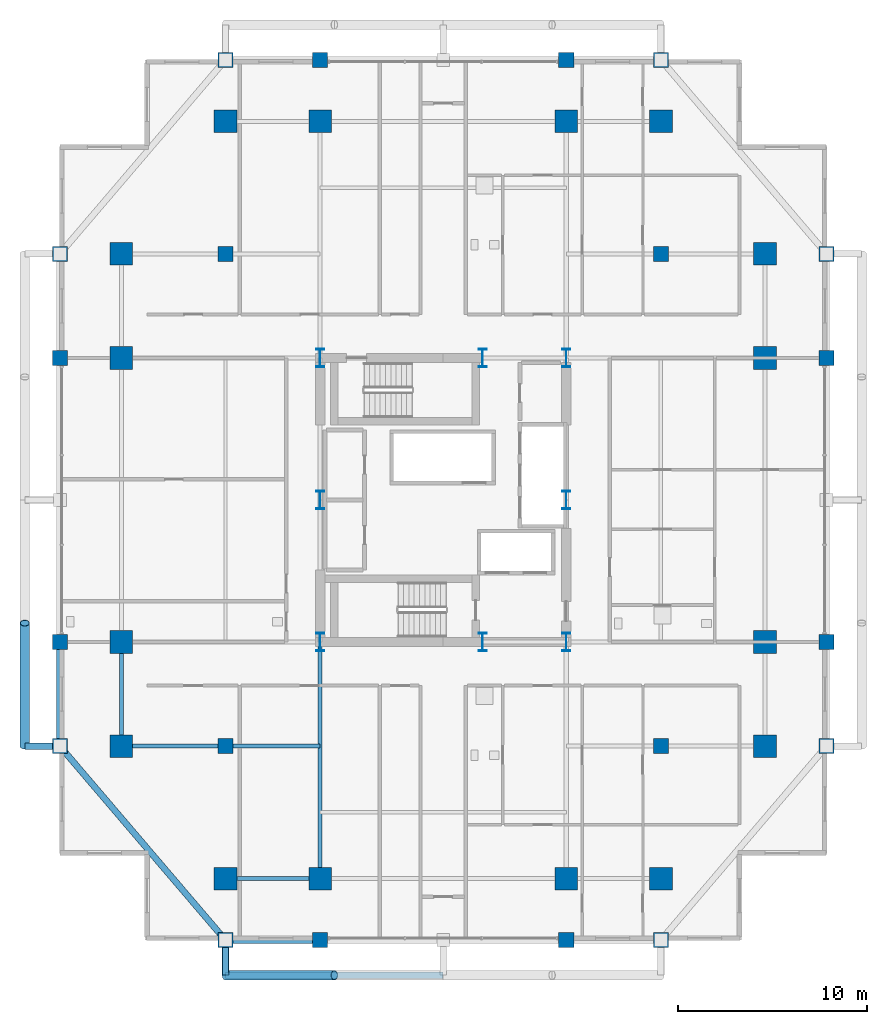
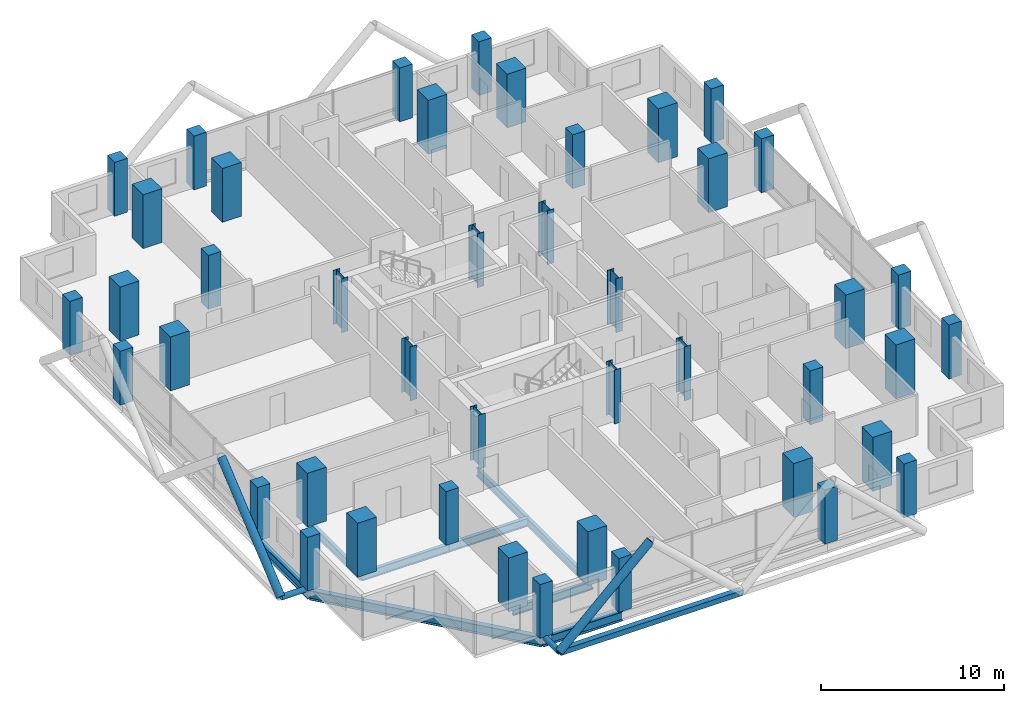
# One storey, part 1 of 24: 44 columns, 8 beams, 5 members.
"""IFC4 building model written with IfcOpenShell, lengths in metres."""

from ifc_helpers import new_model, si_unit, direction, frame, origin, origin_2d, place, context, subcontext, project, spatial, rectangle, hollow_rectangle, hollow_circle, i_section, extrude, material, material_profile, profile_set, type_object, element, save


model = new_model("IFC4")

# Units and contexts
model_context = context("Model", 3, precision=1e-05, world=origin(), true_north=direction((0.0, 1.0)))
body_context = subcontext(model_context, "Body", "Model", "MODEL_VIEW")
ifc_project = project(units=[si_unit("LENGTHUNIT", "METRE"), si_unit("AREAUNIT", "SQUARE_METRE"), si_unit("VOLUMEUNIT", "CUBIC_METRE"), si_unit("PLANEANGLEUNIT", "RADIAN"), si_unit("MASSUNIT", "GRAM", prefix="KILO")], contexts=[model_context])

# Site, building, storey
site_placement = place(None, origin())
site = spatial("IfcSite", under=ifc_project, at=site_placement, CompositionType="ELEMENT")
building_placement = place(site_placement, origin())
building = spatial("IfcBuilding", under=site, at=building_placement, Name="Barlavira Tower and Art Museum", CompositionType="ELEMENT")
storey_placement = place(building_placement, frame((0.0, 0.0, 154.800048828125)))
storey = spatial("IfcBuildingStorey", under=building, at=storey_placement, Name="L39", CompositionType="ELEMENT", Elevation=154.800048828125)

# Columns
ifc_material_1 = material(Name="Steel S355", Category="steel")
ifc_material_profile_1 = material_profile(ifc_material_1, i_section(OverallWidth=0.419921875, OverallDepth=0.9599609375, WebThickness=0.02197265625, FlangeThickness=0.033935546875, at=origin_2d()), Name="W920x387.0")
ifc_profile_set_1 = profile_set([ifc_material_profile_1], Name="Steel S355")
column_type_1 = type_object("IfcColumnType", Name="Core Composite Column W920x387 Steel S355", PredefinedType="COLUMN", material=ifc_profile_set_1)
for number, where, z_axis, x_axis, name in (
    (1, (-6.5, -7.5, 0.0), (0.0, 0.0, 1.0), (1.0, 0.0, 0.0), "L39 Column CC-L39-C1"),
    (2, (2.080078125, -7.5, 0.0), (0.0, 0.0, 1.0), (1.0, 0.0, 0.0), "L39 Column CC-L39-C2"),
    (3, (6.5, -7.5, 0.0), (0.0, 0.0, 1.0), (1.0, 0.0, 0.0), "L39 Column CC-L39-C3"),
    (4, (-6.5, 0.0, 0.0), (0.0, 0.0, 1.0), (1.0, 0.0, 0.0), "L39 Column CC-L39-C4"),
    (5, (6.5, 0.0, 0.0), (0.0, 0.0, 1.0), (1.0, 0.0, 0.0), "L39 Column CC-L39-C5"),
    (6, (-6.5, 7.5, 0.0), (0.0, 0.0, 1.0), (1.0, 0.0, 0.0), "L39 Column CC-L39-C6"),
    (7, (2.080078125, 7.5, 0.0), (0.0, 0.0, 1.0), (1.0, 0.0, 0.0), "L39 Column CC-L39-C7"),
    (8, (6.5, 7.5, 0.0), (0.0, 0.0, 1.0), (1.0, 0.0, 0.0), "L39 Column CC-L39-C8"),
):
    element("IfcColumn", number, at=place(storey_placement, frame(where, z_axis=z_axis, x_axis=x_axis)), inside=storey, type_object=column_type_1, Name=name, PredefinedType="COLUMN", context=body_context, shape_type="SweptSolid", body=[
        extrude(i_section(OverallWidth=0.419921875, OverallDepth=0.9599609375, WebThickness=0.02197265625, FlangeThickness=0.033935546875, at=origin_2d()), origin(), (0.0, 0.0, 1.0), 3.599853515625),
    ])
ifc_material_2 = material(Name="Concrete C60", Category="concrete")
ifc_material_profile_2 = material_profile(ifc_material_2, rectangle(XDim=1.199951171875, YDim=1.199951171875, at=origin_2d()), Name="RC-COL 1200x1200")
ifc_profile_set_2 = profile_set([ifc_material_profile_2], Name="Concrete C60")
column_type_2 = type_object("IfcColumnType", Name="Perimeter Mega Column 1200x1200 Concrete C60", PredefinedType="USERDEFINED", material=ifc_profile_set_2)
for number, where, z_axis, x_axis, name in (
    (9, (-11.5, -20.0, 0.0), (0.0, 0.0, 1.0), (1.0, 0.0, 0.0), "L39 Column MC-L39-M01"),
    (10, (-6.5, -20.0, 0.0), (0.0, 0.0, 1.0), (1.0, 0.0, 0.0), "L39 Column MC-L39-M02"),
    (11, (6.5, -20.0, 0.0), (0.0, 0.0, 1.0), (1.0, 0.0, 0.0), "L39 Column MC-L39-M03"),
    (12, (11.5, -20.0, 0.0), (0.0, 0.0, 1.0), (1.0, 0.0, 0.0), "L39 Column MC-L39-M04"),
    (13, (17.0, -13.0, 0.0), (0.0, 0.0, 1.0), (1.0, 0.0, 0.0), "L39 Column MC-L39-M05"),
    (14, (17.0, -7.5, 0.0), (0.0, 0.0, 1.0), (1.0, 0.0, 0.0), "L39 Column MC-L39-M06"),
    (15, (17.0, 7.5, 0.0), (0.0, 0.0, 1.0), (1.0, 0.0, 0.0), "L39 Column MC-L39-M07"),
    (16, (17.0, 13.0, 0.0), (0.0, 0.0, 1.0), (1.0, 0.0, 0.0), "L39 Column MC-L39-M08"),
    (17, (11.5, 20.0, 0.0), (0.0, 0.0, 1.0), (1.0, 0.0, 0.0), "L39 Column MC-L39-M09"),
    (18, (6.5, 20.0, 0.0), (0.0, 0.0, 1.0), (1.0, 0.0, 0.0), "L39 Column MC-L39-M10"),
    (19, (-6.5, 20.0, 0.0), (0.0, 0.0, 1.0), (1.0, 0.0, 0.0), "L39 Column MC-L39-M11"),
    (20, (-11.5, 20.0, 0.0), (0.0, 0.0, 1.0), (1.0, 0.0, 0.0), "L39 Column MC-L39-M12"),
    (21, (-17.0, 13.0, 0.0), (0.0, 0.0, 1.0), (1.0, 0.0, 0.0), "L39 Column MC-L39-M13"),
    (22, (-17.0, 7.5, 0.0), (0.0, 0.0, 1.0), (1.0, 0.0, 0.0), "L39 Column MC-L39-M14"),
    (23, (-17.0, -7.5, 0.0), (0.0, 0.0, 1.0), (1.0, 0.0, 0.0), "L39 Column MC-L39-M15"),
    (24, (-17.0, -13.0, 0.0), (0.0, 0.0, 1.0), (1.0, 0.0, 0.0), "L39 Column MC-L39-M16"),
):
    element("IfcColumn", number, at=place(storey_placement, frame(where, z_axis=z_axis, x_axis=x_axis)), inside=storey, type_object=column_type_2, Name=name, ObjectType="MEGA COLUMN", PredefinedType="USERDEFINED", context=body_context, shape_type="SweptSolid", body=[
        extrude(rectangle(XDim=1.199951171875, YDim=1.199951171875, at=origin_2d()), origin(), (0.0, 0.0, 1.0), 3.599853515625),
    ])
ifc_material_3 = material(Name="Concrete C50", Category="concrete")
ifc_material_profile_3 = material_profile(ifc_material_3, rectangle(XDim=0.800048828125, YDim=0.800048828125, at=origin_2d()), Name="RC-COL 800x800")
ifc_profile_set_3 = profile_set([ifc_material_profile_3], Name="Concrete C50")
column_type_3 = type_object("IfcColumnType", Name="Podium Frame Column 800x800 Concrete C50", PredefinedType="COLUMN", material=ifc_profile_set_3)
for number, where, z_axis, x_axis, name in (
    (25, (-11.5, -13.0, 0.0), (0.0, 0.0, 1.0), (1.0, 0.0, 0.0), "L39 Column CI-L39-I1"),
    (26, (11.5, -13.0, 0.0), (0.0, 0.0, 1.0), (1.0, 0.0, 0.0), "L39 Column CI-L39-I2"),
    (27, (-11.5, 13.0, 0.0), (0.0, 0.0, 1.0), (1.0, 0.0, 0.0), "L39 Column CI-L39-I3"),
    (28, (11.5, 13.0, 0.0), (0.0, 0.0, 1.0), (1.0, 0.0, 0.0), "L39 Column CI-L39-I4"),
    (29, (-11.5, -23.25, 0.0), (0.0, 0.0, 1.0), (1.0, 0.0, 0.0), "L39 Column CZ2-L39-N01"),
    (30, (-6.5, -23.25, 0.0), (0.0, 0.0, 1.0), (1.0, 0.0, 0.0), "L39 Column CZ2-L39-N02"),
    (31, (6.5, -23.25, 0.0), (0.0, 0.0, 1.0), (1.0, 0.0, 0.0), "L39 Column CZ2-L39-N02B"),
    (32, (11.5, -23.25, 0.0), (0.0, 0.0, 1.0), (1.0, 0.0, 0.0), "L39 Column CZ2-L39-N03"),
    (33, (-20.25, -13.0, 0.0), (0.0, 0.0, 1.0), (1.0, 0.0, 0.0), "L39 Column CZ2-L39-N04"),
    (34, (-20.25, -7.5, 0.0), (0.0, 0.0, 1.0), (1.0, 0.0, 0.0), "L39 Column CZ2-L39-N05"),
    (35, (-20.25, 7.5, 0.0), (0.0, 0.0, 1.0), (1.0, 0.0, 0.0), "L39 Column CZ2-L39-N05B"),
    (36, (-20.25, 13.0, 0.0), (0.0, 0.0, 1.0), (1.0, 0.0, 0.0), "L39 Column CZ2-L39-N06"),
    (37, (-11.5, 23.25, 0.0), (0.0, 0.0, 1.0), (1.0, 0.0, 0.0), "L39 Column CZ2-L39-N07"),
    (38, (-6.5, 23.25, 0.0), (0.0, 0.0, 1.0), (1.0, 0.0, 0.0), "L39 Column CZ2-L39-N08"),
    (39, (6.5, 23.25, 0.0), (0.0, 0.0, 1.0), (1.0, 0.0, 0.0), "L39 Column CZ2-L39-N08B"),
    (40, (11.5, 23.25, 0.0), (0.0, 0.0, 1.0), (1.0, 0.0, 0.0), "L39 Column CZ2-L39-N09"),
    (41, (20.25, -13.0, 0.0), (0.0, 0.0, 1.0), (1.0, 0.0, 0.0), "L39 Column CZ2-L39-N10"),
    (42, (20.25, -7.5, 0.0), (0.0, 0.0, 1.0), (1.0, 0.0, 0.0), "L39 Column CZ2-L39-N11"),
    (43, (20.25, 7.5, 0.0), (0.0, 0.0, 1.0), (1.0, 0.0, 0.0), "L39 Column CZ2-L39-N11B"),
    (44, (20.25, 13.0, 0.0), (0.0, 0.0, 1.0), (1.0, 0.0, 0.0), "L39 Column CZ2-L39-N12"),
):
    element("IfcColumn", number, at=place(storey_placement, frame(where, z_axis=z_axis, x_axis=x_axis)), inside=storey, type_object=column_type_3, Name=name, PredefinedType="COLUMN", context=body_context, shape_type="SweptSolid", body=[
        extrude(rectangle(XDim=0.800048828125, YDim=0.800048828125, at=origin_2d()), origin(), (0.0, 0.0, 1.0), 3.599853515625),
    ])

# Members
ifc_material_profile_4 = material_profile(ifc_material_1, hollow_circle(Radius=0.25390625, WallThickness=0.022216796875, at=origin_2d()), Name="CHS 508.0x22.2")
ifc_profile_set_4 = profile_set([ifc_material_profile_4], Name="Steel S355")
member_type_1 = type_object("IfcMemberType", Name="Pale-Metal Exoskeleton Diagrid Tube CHS 508x22 Steel S355", PredefinedType="BRACE", material=ifc_profile_set_4)
member_1_placement = place(storey_placement, frame((-11.5, -25.10009765625, -0.1201171875), z_axis=(0.728934650808, 0.0, 0.684583285548), x_axis=(0.0, 1.0, 0.0)))
element("IfcMember", 45, at=member_1_placement, inside=storey, type_object=member_type_1, Name="L39 Exoskeleton Diagrid Tube S", PredefinedType="BRACE", context=body_context, shape_type="SweptSolid", body=[
    extrude(hollow_circle(Radius=0.25390625, WallThickness=0.022216796875, at=origin_2d()), origin(), (0.0, 0.0, 1.0), 7.88818359375),
])
member_2_placement = place(storey_placement, frame((-22.10009765625, -13.0, -0.1201171875), z_axis=(0.0, 0.76918185268, 0.639029950399), x_axis=(-1.0, 0.0, 0.0)))
element("IfcMember", 46, at=member_2_placement, inside=storey, type_object=member_type_1, Name="L39 Exoskeleton Diagrid Tube W", PredefinedType="BRACE", context=body_context, shape_type="SweptSolid", body=[
    extrude(hollow_circle(Radius=0.25390625, WallThickness=0.022216796875, at=origin_2d()), origin(), (0.0, 0.0, 1.0), 8.450439453125),
])
ifc_material_profile_5 = material_profile(ifc_material_1, hollow_rectangle(XDim=0.35009765625, YDim=0.35009765625, WallThickness=0.02001953125, at=origin_2d()), Name="SHS 350x350x20.0")
ifc_profile_set_5 = profile_set([ifc_material_profile_5], Name="Steel S355")
member_type_2 = type_object("IfcMemberType", Name="Pale-Metal Exoskeleton Ring Strut SHS 350x350x20 Steel S355", PredefinedType="STRUT", material=ifc_profile_set_5)
member_3_placement = place(storey_placement, frame((-11.5, -25.10009765625, -0.1201171875), z_axis=(1.0, 0.0, 0.0), x_axis=(0.0, 1.0, 0.0)))
element("IfcMember", 47, at=member_3_placement, inside=storey, type_object=member_type_2, Name="L39 Exoskeleton Ring Strut S", PredefinedType="STRUT", context=body_context, shape_type="SweptSolid", body=[
    extrude(hollow_rectangle(XDim=0.35009765625, YDim=0.35009765625, WallThickness=0.02001953125, at=origin_2d()), origin(), (0.0, 0.0, 1.0), 11.5),
])
ifc_material_profile_6 = material_profile(ifc_material_1, hollow_circle(Radius=0.177734375, WallThickness=0.01611328125, at=origin_2d()), Name="CHS 355.6x16.0")
ifc_profile_set_6 = profile_set([ifc_material_profile_6], Name="Steel S355")
member_type_3 = type_object("IfcMemberType", Name="Pale-Metal Exoskeleton Tie Strut CHS 356x16 Steel S355", PredefinedType="STRUT", material=ifc_profile_set_6)
for number, where, z_axis, x_axis, name in (
    (48, (-11.5, -25.10009765625, -0.1201171875), (0.0, 1.0, 0.0), (-1.0, 0.0, 0.0), "L39 Exoskeleton Tie Strut S1"),
    (49, (-22.10009765625, -13.0, -0.1201171875), (1.0, 0.0, 0.0), (0.0, 1.0, 0.0), "L39 Exoskeleton Tie Strut W1"),
):
    element("IfcMember", number, at=place(storey_placement, frame(where, z_axis=z_axis, x_axis=x_axis)), inside=storey, type_object=member_type_3, Name=name, PredefinedType="STRUT", context=body_context, shape_type="SweptSolid", body=[
        extrude(hollow_circle(Radius=0.177734375, WallThickness=0.01611328125, at=origin_2d()), origin(), (0.0, 0.0, 1.0), 1.85009765625),
    ])

# Beams
ifc_material_profile_7 = material_profile(ifc_material_1, i_section(OverallWidth=0.327880859375, OverallDepth=0.62890625, WebThickness=0.013916015625, FlangeThickness=0.021484375, at=origin_2d()), Name="W610x174.0")
ifc_profile_set_7 = profile_set([ifc_material_profile_7], Name="Steel S355")
beam_type_1 = type_object("IfcBeamType", Name="Perimeter Spandrel Edge Beam W610x174 Steel S355", PredefinedType="SPANDREL", material=ifc_profile_set_7)
beam_1_placement = place(storey_placement, frame((-11.5, -23.25, -0.53466796875), z_axis=(1.0, 0.0, 0.0), x_axis=(0.0, 1.0, 0.0)))
element("IfcBeam", 50, at=beam_1_placement, inside=storey, type_object=beam_type_1, Name="L39 Spandrel 1", PredefinedType="SPANDREL", context=body_context, shape_type="SweptSolid", body=[
    extrude(i_section(OverallWidth=0.327880859375, OverallDepth=0.62890625, WebThickness=0.013916015625, FlangeThickness=0.021484375, at=origin_2d()), origin(), (0.0, 0.0, 1.0), 5.0),
])
beam_2_placement = place(storey_placement, frame((-20.25, -13.0, -0.53466796875), z_axis=(0.0, 1.0, 0.0), x_axis=(-1.0, 0.0, 0.0)))
element("IfcBeam", 51, at=beam_2_placement, inside=storey, type_object=beam_type_1, Name="L39 Spandrel 15", PredefinedType="SPANDREL", context=body_context, shape_type="SweptSolid", body=[
    extrude(i_section(OverallWidth=0.327880859375, OverallDepth=0.62890625, WebThickness=0.013916015625, FlangeThickness=0.021484375, at=origin_2d()), origin(), (0.0, 0.0, 1.0), 5.5),
])
beam_3_placement = place(storey_placement, frame((-20.25, -13.0, -0.53466796875), z_axis=(0.649262379928, -0.760564502202, 0.0), x_axis=(0.760564502202, 0.649262379928, 0.0)))
element("IfcBeam", 52, at=beam_3_placement, inside=storey, type_object=beam_type_1, Name="L39 Spandrel 16", PredefinedType="SPANDREL", context=body_context, shape_type="SweptSolid", body=[
    extrude(i_section(OverallWidth=0.327880859375, OverallDepth=0.62890625, WebThickness=0.013916015625, FlangeThickness=0.021484375, at=origin_2d()), origin(), (0.0, 0.0, 1.0), 13.476806640625),
])
ifc_material_profile_8 = material_profile(ifc_material_1, i_section(OverallWidth=0.214111328125, OverallDepth=0.549072265625, WebThickness=0.0146484375, FlangeThickness=0.023681640625, at=origin_2d()), Name="W530x138.0")
ifc_profile_set_8 = profile_set([ifc_material_profile_8], Name="Steel S355")
beam_type_2 = type_object("IfcBeamType", Name="Zone 1 Primary Floor Girder W530x138 Steel S355", PredefinedType="BEAM", material=ifc_profile_set_8)
beam_4_placement = place(storey_placement, frame((-11.5, -20.0, -0.49462890625), z_axis=(1.0, 0.0, 0.0), x_axis=(0.0, 1.0, 0.0)))
element("IfcBeam", 53, at=beam_4_placement, inside=storey, type_object=beam_type_2, Name="L39 Girder M-S1", PredefinedType="BEAM", context=body_context, shape_type="SweptSolid", body=[
    extrude(i_section(OverallWidth=0.214111328125, OverallDepth=0.549072265625, WebThickness=0.0146484375, FlangeThickness=0.023681640625, at=origin_2d()), origin(), (0.0, 0.0, 1.0), 5.0),
])
beam_5_placement = place(storey_placement, frame((-17.0, -13.0, -0.49462890625), z_axis=(0.0, 1.0, 0.0), x_axis=(-1.0, 0.0, 0.0)))
element("IfcBeam", 54, at=beam_5_placement, inside=storey, type_object=beam_type_2, Name="L39 Girder M-W1", PredefinedType="BEAM", context=body_context, shape_type="SweptSolid", body=[
    extrude(i_section(OverallWidth=0.214111328125, OverallDepth=0.549072265625, WebThickness=0.0146484375, FlangeThickness=0.023681640625, at=origin_2d()), origin(), (0.0, 0.0, 1.0), 5.5),
])
beam_6_placement = place(storey_placement, frame((-6.5, -20.0, -0.49462890625), z_axis=(0.0, 1.0, 0.0), x_axis=(-1.0, 0.0, 0.0)))
element("IfcBeam", 55, at=beam_6_placement, inside=storey, type_object=beam_type_2, Name="L39 Girder R-S1", PredefinedType="BEAM", context=body_context, shape_type="SweptSolid", body=[
    extrude(i_section(OverallWidth=0.214111328125, OverallDepth=0.549072265625, WebThickness=0.0146484375, FlangeThickness=0.023681640625, at=origin_2d()), origin(), (0.0, 0.0, 1.0), 12.5),
])
beam_7_placement = place(storey_placement, frame((-17.0, -13.0, -0.49462890625), z_axis=(1.0, 0.0, 0.0), x_axis=(0.0, 1.0, 0.0)))
element("IfcBeam", 56, at=beam_7_placement, inside=storey, type_object=beam_type_2, Name="L39 Girder I-S1", PredefinedType="BEAM", context=body_context, shape_type="SweptSolid", body=[
    extrude(i_section(OverallWidth=0.214111328125, OverallDepth=0.549072265625, WebThickness=0.0146484375, FlangeThickness=0.023681640625, at=origin_2d()), origin(), (0.0, 0.0, 1.0), 5.5),
])
beam_8_placement = place(storey_placement, frame((-11.5, -13.0, -0.49462890625), z_axis=(1.0, 0.0, 0.0), x_axis=(0.0, 1.0, 0.0)))
element("IfcBeam", 57, at=beam_8_placement, inside=storey, type_object=beam_type_2, Name="L39 Girder I-S2", PredefinedType="BEAM", context=body_context, shape_type="SweptSolid", body=[
    extrude(i_section(OverallWidth=0.214111328125, OverallDepth=0.549072265625, WebThickness=0.0146484375, FlangeThickness=0.023681640625, at=origin_2d()), origin(), (0.0, 0.0, 1.0), 5.0),
])

save(model, "model.ifc")
